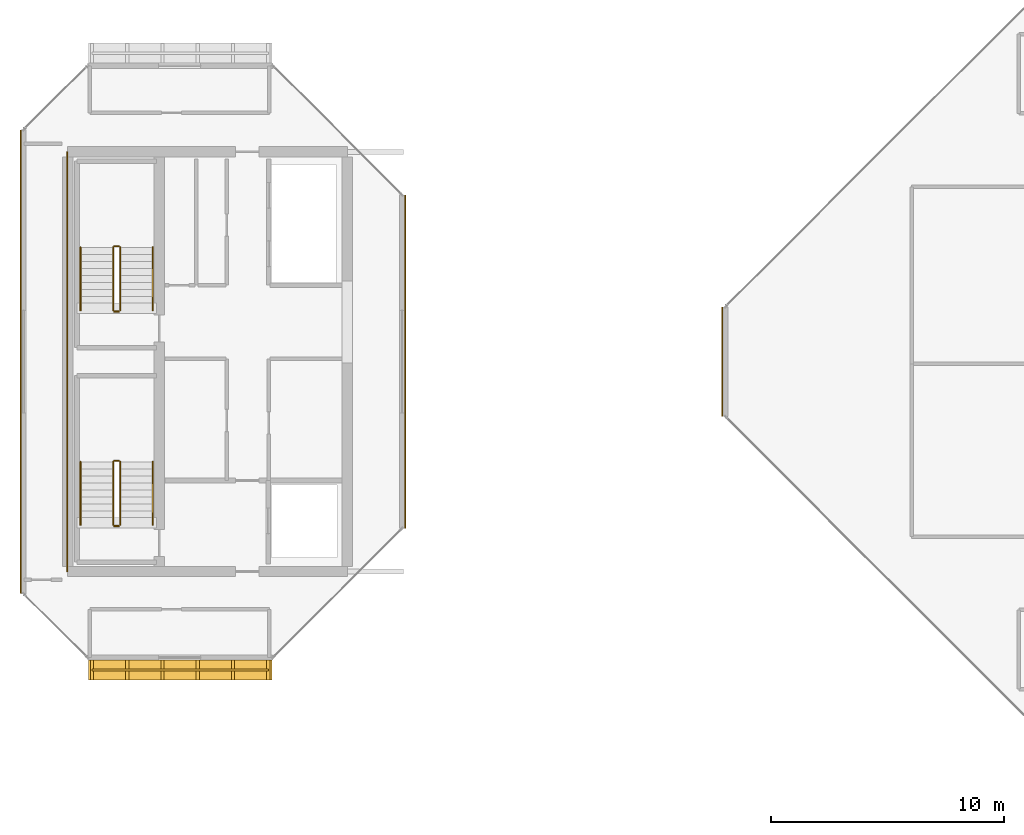
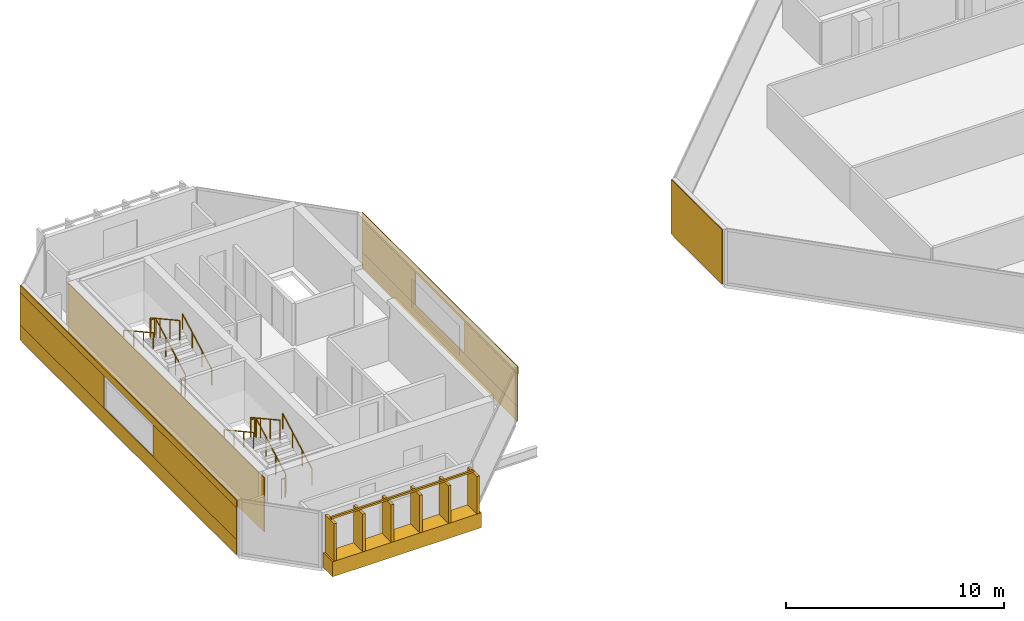
# One storey, part 26 of 28: 13 railings, 11 coverings.
"""IFC4 building model written with IfcOpenShell, lengths in metres."""

from ifc_helpers import new_model, si_unit, direction, frame, origin, origin_2d, place, context, subcontext, project, spatial, rectangle, extrude, material, layer, layer_set, type_object, element, save


model = new_model("IFC4")

# Units and contexts
model_context = context("Model", 3, precision=1e-05, world=origin(), true_north=direction((0.0, 1.0)))
body_context = subcontext(model_context, "Body", "Model", "MODEL_VIEW")
ifc_project = project(units=[si_unit("LENGTHUNIT", "METRE"), si_unit("AREAUNIT", "SQUARE_METRE"), si_unit("VOLUMEUNIT", "CUBIC_METRE"), si_unit("PLANEANGLEUNIT", "RADIAN"), si_unit("MASSUNIT", "GRAM", prefix="KILO")], contexts=[model_context])

# Site, building, storey
site_placement = place(None, origin())
site = spatial("IfcSite", under=ifc_project, at=site_placement, CompositionType="ELEMENT")
building_placement = place(site_placement, origin())
building = spatial("IfcBuilding", under=site, at=building_placement, Name="Tanjung Sevakor Pilgrim Tower", CompositionType="ELEMENT")
storey_placement = place(building_placement, frame((0.0, 0.0, 239.25)))
storey = spatial("IfcBuildingStorey", under=building, at=storey_placement, Name="L67", CompositionType="ELEMENT", Elevation=239.25)

# Coverings
ifc_material_1 = material(Name="Reconstructed Limestone Cladding", Category="masonry")
ifc_layer = layer(ifc_material_1, 0.044921875)
ifc_layer_set = layer_set([ifc_layer], Name="COV-CLAD-LIMESTONE")
covering_type = type_object("IfcCoveringType", Name="COV-CLAD-LIMESTONE", PredefinedType="CLADDING", material=ifc_layer_set)
covering_1_placement = place(storey_placement, frame((28.824951171875, 20.3701171875, 0.009765625), z_axis=(0.0, 0.0, 1.0), x_axis=(1.0, 0.0, 0.0)))
element("IfcCovering", 1, at=covering_1_placement, inside=storey, type_object=covering_type, Name="L67 Warm Limestone Sill Spandrel EW-L67-WEST-1-1", PredefinedType="CLADDING", context=body_context, shape_type="SweptSolid", body=[
    extrude(rectangle(XDim=7.87890625, YDim=0.860107421875, at=origin_2d()), origin(), (0.0, 0.0, 1.0), 0.840087890625),
])
covering_2_placement = place(storey_placement, frame((38.472412109375, 33.60009765625, 0.009765625), z_axis=(0.0, 0.0, 1.0), x_axis=(0.0, 1.0, 0.0)))
element("IfcCovering", 2, at=covering_2_placement, inside=storey, type_object=covering_type, Name="L67 Warm Limestone Sill Spandrel EW-L67-WEST-3-1", PredefinedType="CLADDING", context=body_context, shape_type="SweptSolid", body=[
    extrude(rectangle(XDim=14.228759765625, YDim=0.044921875, at=origin_2d()), origin(), (0.0, 0.0, 1.0), 0.840087890625),
])
covering_3_placement = place(storey_placement, frame((38.472412109375, 33.60009765625, 2.66015625), z_axis=(0.0, 0.0, 1.0), x_axis=(0.0, 1.0, 0.0)))
element("IfcCovering", 3, at=covering_3_placement, inside=storey, type_object=covering_type, Name="L67 Warm Limestone Cornice Spandrel EW-L67-WEST-3", PredefinedType="CLADDING", context=body_context, shape_type="SweptSolid", body=[
    extrude(rectangle(XDim=14.268798828125, YDim=0.044921875, at=origin_2d()), origin(), (0.0, 0.0, 1.0), 0.409912109375),
])
for number, where, z_axis, x_axis, name in (
    (4, (38.472412109375, 28.917724609375, 0.849853515625), (0.0, 0.0, 1.0), (0.0, 1.0, 0.0), "L67 Warm Limestone Pier Panel EW-L67-WEST-3-1"),
    (5, (38.472412109375, 38.2822265625, 0.849853515625), (0.0, 0.0, 1.0), (0.0, 1.0, 0.0), "L67 Warm Limestone Pier Panel EW-L67-WEST-3-2"),
):
    element("IfcCovering", number, at=place(storey_placement, frame(where, z_axis=z_axis, x_axis=x_axis)), inside=storey, type_object=covering_type, Name=name, PredefinedType="CLADDING", context=body_context, shape_type="SweptSolid", body=[
        extrude(rectangle(XDim=4.864501953125, YDim=0.044921875, at=origin_2d()), origin(), (0.0, 0.0, 1.0), 1.81005859375),
    ])
covering_4_placement = place(storey_placement, frame((21.9775390625, 33.60009765625, 0.009765625), z_axis=(0.0, 0.0, 1.0), x_axis=(0.0, -1.0, 0.0)))
element("IfcCovering", 6, at=covering_4_placement, inside=storey, type_object=covering_type, Name="L67 Warm Limestone Sill Spandrel EW-L67-WEST-7-1", PredefinedType="CLADDING", context=body_context, shape_type="SweptSolid", body=[
    extrude(rectangle(XDim=19.828857421875, YDim=0.044921875, at=origin_2d()), origin(), (0.0, 0.0, 1.0), 0.840087890625),
])
covering_5_placement = place(storey_placement, frame((21.9775390625, 33.60009765625, 2.66015625), z_axis=(0.0, 0.0, 1.0), x_axis=(0.0, -1.0, 0.0)))
element("IfcCovering", 7, at=covering_5_placement, inside=storey, type_object=covering_type, Name="L67 Warm Limestone Cornice Spandrel EW-L67-WEST-7", PredefinedType="CLADDING", context=body_context, shape_type="SweptSolid", body=[
    extrude(rectangle(XDim=19.868896484375, YDim=0.044921875, at=origin_2d()), origin(), (0.0, 0.0, 1.0), 0.409912109375),
])
for number, where, z_axis, x_axis, name in (
    (8, (21.9775390625, 39.68212890625, 0.849853515625), (0.0, 0.0, 1.0), (0.0, -1.0, 0.0), "L67 Warm Limestone Pier Panel EW-L67-WEST-7-1"),
    (9, (21.9775390625, 27.517822265625, 0.849853515625), (0.0, 0.0, 1.0), (0.0, -1.0, 0.0), "L67 Warm Limestone Pier Panel EW-L67-WEST-7-2"),
):
    element("IfcCovering", number, at=place(storey_placement, frame(where, z_axis=z_axis, x_axis=x_axis)), inside=storey, type_object=covering_type, Name=name, PredefinedType="CLADDING", context=body_context, shape_type="SweptSolid", body=[
        extrude(rectangle(XDim=7.664306640625, YDim=0.044921875, at=origin_2d()), origin(), (0.0, 0.0, 1.0), 1.81005859375),
    ])
covering_6_placement = place(storey_placement, frame((52.077392578125, 33.60009765625, 0.02001953125), z_axis=(0.0, 0.0, 1.0), x_axis=(0.0, -1.0, 0.0)))
element("IfcCovering", 10, at=covering_6_placement, inside=storey, type_object=covering_type, Name="L67 Warm Limestone Wall Cladding EW-L67-EAST-7", PredefinedType="CLADDING", context=body_context, shape_type="SweptSolid", body=[
    extrude(rectangle(XDim=4.668701171875, YDim=0.044921875, at=origin_2d()), origin(), (0.0, 0.0, 1.0), 3.0400390625),
])
covering_7_placement = place(storey_placement, frame((23.9775390625, 33.60009765625, 0.02001953125), z_axis=(0.0, 0.0, 1.0), x_axis=(1.0, 0.0, 0.0)))
element("IfcCovering", 11, at=covering_7_placement, inside=storey, type_object=covering_type, Name="L67 Expressed Core Warm Limestone Cladding W", PredefinedType="CLADDING", context=body_context, shape_type="SweptSolid", body=[
    extrude(rectangle(XDim=0.044921875, YDim=18.0, at=origin_2d()), origin(), (0.0, 0.0, 1.0), 3.0400390625),
])

# Railings
ifc_material_2 = material(Name="Anodised Bronze Aluminium 6063-T6", Category="aluminium")
railing_type_1 = type_object("IfcRailingType", Name="RL-FIN-SCREEN", PredefinedType="BALUSTRADE", material=ifc_material_2)
railing_1_placement = place(storey_placement, frame((25.045654296875, 20.375, 0.840087890625)))
element("IfcRailing", 12, at=railing_1_placement, inside=storey, type_object=railing_type_1, Name="L67 Vertical Bronze-Gold Solar Fin Screen FNSCR-EW-L67-WEST-1-1", PredefinedType="BALUSTRADE", context=body_context, shape_type="SweptSolid", body=[
    extrude(rectangle(XDim=0.105, YDim=0.105), frame((0.0, 0.0, 2.157470703125), z_axis=(1.0, 0.0, 0.0), x_axis=(0.0, 1.0, 0.0)), (0.0, 0.0, 1.0), 7.558837890625),
    extrude(rectangle(XDim=0.14, YDim=0.85), origin(), (0.0, 0.0, 1.0), 2.10498046875),
    extrude(rectangle(XDim=0.14, YDim=0.85), frame((1.51171875, 0.0, 0.0)), (0.0, 0.0, 1.0), 2.10498046875),
    extrude(rectangle(XDim=0.14, YDim=0.85), frame((3.0234375, 0.0, 0.0)), (0.0, 0.0, 1.0), 2.10498046875),
    extrude(rectangle(XDim=0.14, YDim=0.85), frame((4.535400390625, 0.0, 0.0)), (0.0, 0.0, 1.0), 2.10498046875),
    extrude(rectangle(XDim=0.14, YDim=0.85), frame((6.047119140625, 0.0, 0.0)), (0.0, 0.0, 1.0), 2.10498046875),
    extrude(rectangle(XDim=0.14, YDim=0.85), frame((7.558837890625, 0.0, 0.0)), (0.0, 0.0, 1.0), 2.10498046875),
])
ifc_material_3 = material(Name="Steel S355J2", Category="steel")
railing_type_2 = type_object("IfcRailingType", Name="RL-STAIR-GUARD", PredefinedType="GUARDRAIL", material=ifc_material_3)
railing_2_placement = place(storey_placement, frame((26.25, 26.60009765625, 0.1650390625)))
element("IfcRailing", 13, at=railing_2_placement, inside=storey, type_object=railing_type_2, Name="L67 TS-W1 stair guard 1", PredefinedType="GUARDRAIL", context=body_context, shape_type="SweptSolid", body=[
    extrude(rectangle(XDim=0.0479, YDim=0.0479), frame((0.0, 0.0, 1.076171875), z_axis=(0.0, 0.876230963923, 0.481891375584), x_axis=(-1.0, 0.0, 0.0)), (0.0, 0.0, 1.0), 3.081298828125),
    extrude(rectangle(XDim=0.042, YDim=0.042), origin(), (0.0, 0.0, 1.0), 1.052001953125),
    extrude(rectangle(XDim=0.042, YDim=0.042), frame((0.0, 0.89990234375, 0.494873046875)), (0.0, 0.0, 1.0), 1.052001953125),
    extrude(rectangle(XDim=0.042, YDim=0.042), frame((0.0, 1.800048828125, 0.989990234375)), (0.0, 0.0, 1.0), 1.052001953125),
    extrude(rectangle(XDim=0.042, YDim=0.042), frame((0.0, 2.699951171875, 1.48486328125)), (0.0, 0.0, 1.0), 1.052001953125),
])
railing_3_placement = place(storey_placement, frame((26.199951171875, 29.35009765625, 1.64990234375)))
element("IfcRailing", 14, at=railing_3_placement, inside=storey, type_object=railing_type_2, Name="L67 TS-W1 stair guard 2", PredefinedType="GUARDRAIL", context=body_context, shape_type="SweptSolid", body=[
    extrude(rectangle(XDim=0.0479, YDim=0.0479), frame((0.0, 0.0, 1.076171875), z_axis=(-1.0, 0.0, 0.0), x_axis=(0.0, -1.0, 0.0)), (0.0, 0.0, 1.0), 0.199951171875),
    extrude(rectangle(XDim=0.042, YDim=0.042), origin(), (0.0, 0.0, 1.0), 1.052001953125),
    extrude(rectangle(XDim=0.042, YDim=0.042), frame((-0.199951171875, 0.0, 0.0)), (0.0, 0.0, 1.0), 1.052001953125),
])
railing_4_placement = place(storey_placement, frame((25.949951171875, 29.300048828125, 1.81494140625)))
element("IfcRailing", 15, at=railing_4_placement, inside=storey, type_object=railing_type_2, Name="L67 TS-W1 stair guard 3", PredefinedType="GUARDRAIL", context=body_context, shape_type="SweptSolid", body=[
    extrude(rectangle(XDim=0.0479, YDim=0.0479), frame((0.0, 0.0, 1.076171875), z_axis=(0.0, -0.876197507361, 0.481952205197), x_axis=(1.0, 0.0, 0.0)), (0.0, 0.0, 1.0), 3.08154296875),
    extrude(rectangle(XDim=0.042, YDim=0.042), origin(), (0.0, 0.0, 1.0), 1.052001953125),
    extrude(rectangle(XDim=0.042, YDim=0.042), frame((0.0, -0.89990234375, 0.4951171875)), (0.0, 0.0, 1.0), 1.052001953125),
    extrude(rectangle(XDim=0.042, YDim=0.042), frame((0.0, -1.800048828125, 0.989990234375)), (0.0, 0.0, 1.0), 1.052001953125),
    extrude(rectangle(XDim=0.042, YDim=0.042), frame((0.0, -2.699951171875, 1.485107421875)), (0.0, 0.0, 1.0), 1.052001953125),
])
railing_5_placement = place(storey_placement, frame((26.199951171875, 26.550048828125, 0.0)))
element("IfcRailing", 16, at=railing_5_placement, inside=storey, type_object=railing_type_2, Name="L67 TS-W1 stair guard 4", PredefinedType="GUARDRAIL", context=body_context, shape_type="SweptSolid", body=[
    extrude(rectangle(XDim=0.0479, YDim=0.0479), frame((0.0, 0.0, 1.076171875), z_axis=(-1.0, 0.0, 0.0), x_axis=(0.0, -1.0, 0.0)), (0.0, 0.0, 1.0), 0.199951171875),
    extrude(rectangle(XDim=0.042, YDim=0.042), origin(), (0.0, 0.0, 1.0), 1.052001953125),
    extrude(rectangle(XDim=0.042, YDim=0.042), frame((-0.199951171875, 0.0, 0.0)), (0.0, 0.0, 1.0), 1.052001953125),
])
railing_6_placement = place(storey_placement, frame((26.25, 35.800048828125, 0.1650390625)))
element("IfcRailing", 17, at=railing_6_placement, inside=storey, type_object=railing_type_2, Name="L67 TS-W2 stair guard 1", PredefinedType="GUARDRAIL", context=body_context, shape_type="SweptSolid", body=[
    extrude(rectangle(XDim=0.0479, YDim=0.0479), frame((0.0, 0.0, 1.076171875), z_axis=(0.0, 0.876230963923, 0.481891375584), x_axis=(-1.0, 0.0, 0.0)), (0.0, 0.0, 1.0), 3.081298828125),
    extrude(rectangle(XDim=0.042, YDim=0.042), origin(), (0.0, 0.0, 1.0), 1.052001953125),
    extrude(rectangle(XDim=0.042, YDim=0.042), frame((0.0, 0.89990234375, 0.494873046875)), (0.0, 0.0, 1.0), 1.052001953125),
    extrude(rectangle(XDim=0.042, YDim=0.042), frame((0.0, 1.800048828125, 0.989990234375)), (0.0, 0.0, 1.0), 1.052001953125),
    extrude(rectangle(XDim=0.042, YDim=0.042), frame((0.0, 2.699951171875, 1.48486328125)), (0.0, 0.0, 1.0), 1.052001953125),
])
railing_7_placement = place(storey_placement, frame((26.199951171875, 38.550048828125, 1.64990234375)))
element("IfcRailing", 18, at=railing_7_placement, inside=storey, type_object=railing_type_2, Name="L67 TS-W2 stair guard 2", PredefinedType="GUARDRAIL", context=body_context, shape_type="SweptSolid", body=[
    extrude(rectangle(XDim=0.0479, YDim=0.0479), frame((0.0, 0.0, 1.076171875), z_axis=(-1.0, 0.0, 0.0), x_axis=(0.0, -1.0, 0.0)), (0.0, 0.0, 1.0), 0.199951171875),
    extrude(rectangle(XDim=0.042, YDim=0.042), origin(), (0.0, 0.0, 1.0), 1.052001953125),
    extrude(rectangle(XDim=0.042, YDim=0.042), frame((-0.199951171875, 0.0, 0.0)), (0.0, 0.0, 1.0), 1.052001953125),
])
railing_8_placement = place(storey_placement, frame((25.949951171875, 38.5, 1.81494140625)))
element("IfcRailing", 19, at=railing_8_placement, inside=storey, type_object=railing_type_2, Name="L67 TS-W2 stair guard 3", PredefinedType="GUARDRAIL", context=body_context, shape_type="SweptSolid", body=[
    extrude(rectangle(XDim=0.0479, YDim=0.0479), frame((0.0, 0.0, 1.076171875), z_axis=(0.0, -0.876197507361, 0.481952205197), x_axis=(1.0, 0.0, 0.0)), (0.0, 0.0, 1.0), 3.08154296875),
    extrude(rectangle(XDim=0.042, YDim=0.042), origin(), (0.0, 0.0, 1.0), 1.052001953125),
    extrude(rectangle(XDim=0.042, YDim=0.042), frame((0.0, -0.89990234375, 0.4951171875)), (0.0, 0.0, 1.0), 1.052001953125),
    extrude(rectangle(XDim=0.042, YDim=0.042), frame((0.0, -1.800048828125, 0.989990234375)), (0.0, 0.0, 1.0), 1.052001953125),
    extrude(rectangle(XDim=0.042, YDim=0.042), frame((0.0, -2.699951171875, 1.485107421875)), (0.0, 0.0, 1.0), 1.052001953125),
])
railing_9_placement = place(storey_placement, frame((26.199951171875, 35.75, 0.0)))
element("IfcRailing", 20, at=railing_9_placement, inside=storey, type_object=railing_type_2, Name="L67 TS-W2 stair guard 4", PredefinedType="GUARDRAIL", context=body_context, shape_type="SweptSolid", body=[
    extrude(rectangle(XDim=0.0479, YDim=0.0479), frame((0.0, 0.0, 1.076171875), z_axis=(-1.0, 0.0, 0.0), x_axis=(0.0, -1.0, 0.0)), (0.0, 0.0, 1.0), 0.199951171875),
    extrude(rectangle(XDim=0.042, YDim=0.042), origin(), (0.0, 0.0, 1.0), 1.052001953125),
    extrude(rectangle(XDim=0.042, YDim=0.042), frame((-0.199951171875, 0.0, 0.0)), (0.0, 0.0, 1.0), 1.052001953125),
])
ifc_material_4 = material(Name="Steel S355J2", Category="steel")
railing_type_3 = type_object("IfcRailingType", Name="RL-STAIR-HAND", PredefinedType="HANDRAIL", material=ifc_material_4)
railing_10_placement = place(storey_placement, frame((27.64990234375, 26.60009765625, 0.1650390625)))
element("IfcRailing", 21, at=railing_10_placement, inside=storey, type_object=railing_type_3, Name="L67 TS-W1 stair handrail 1", PredefinedType="HANDRAIL", context=body_context, shape_type="SweptSolid", body=[
    extrude(rectangle(XDim=0.0479, YDim=0.0479), frame((0.0, 0.0, 0.8759765625), z_axis=(0.0, 0.876230963923, 0.481891375584), x_axis=(-1.0, 0.0, 0.0)), (0.0, 0.0, 1.0), 3.081298828125),
    extrude(rectangle(XDim=0.042, YDim=0.042), origin(), (0.0, 0.0, 1.0), 0.851806640625),
    extrude(rectangle(XDim=0.042, YDim=0.042), frame((0.0, 0.89990234375, 0.494873046875)), (0.0, 0.0, 1.0), 0.851806640625),
    extrude(rectangle(XDim=0.042, YDim=0.042), frame((0.0, 1.800048828125, 0.989990234375)), (0.0, 0.0, 1.0), 0.851806640625),
    extrude(rectangle(XDim=0.042, YDim=0.042), frame((0.0, 2.699951171875, 1.48486328125)), (0.0, 0.0, 1.0), 0.851806640625),
])
railing_11_placement = place(storey_placement, frame((24.550048828125, 29.300048828125, 1.81494140625)))
element("IfcRailing", 22, at=railing_11_placement, inside=storey, type_object=railing_type_3, Name="L67 TS-W1 stair handrail 2", PredefinedType="HANDRAIL", context=body_context, shape_type="SweptSolid", body=[
    extrude(rectangle(XDim=0.0479, YDim=0.0479), frame((0.0, 0.0, 0.8759765625), z_axis=(0.0, -0.876197507361, 0.481952205197), x_axis=(1.0, 0.0, 0.0)), (0.0, 0.0, 1.0), 3.08154296875),
    extrude(rectangle(XDim=0.042, YDim=0.042), origin(), (0.0, 0.0, 1.0), 0.851806640625),
    extrude(rectangle(XDim=0.042, YDim=0.042), frame((0.0, -0.89990234375, 0.4951171875)), (0.0, 0.0, 1.0), 0.851806640625),
    extrude(rectangle(XDim=0.042, YDim=0.042), frame((0.0, -1.800048828125, 0.989990234375)), (0.0, 0.0, 1.0), 0.851806640625),
    extrude(rectangle(XDim=0.042, YDim=0.042), frame((0.0, -2.699951171875, 1.485107421875)), (0.0, 0.0, 1.0), 0.851806640625),
])
railing_12_placement = place(storey_placement, frame((27.64990234375, 35.800048828125, 0.1650390625)))
element("IfcRailing", 23, at=railing_12_placement, inside=storey, type_object=railing_type_3, Name="L67 TS-W2 stair handrail 1", PredefinedType="HANDRAIL", context=body_context, shape_type="SweptSolid", body=[
    extrude(rectangle(XDim=0.0479, YDim=0.0479), frame((0.0, 0.0, 0.8759765625), z_axis=(0.0, 0.876230963923, 0.481891375584), x_axis=(-1.0, 0.0, 0.0)), (0.0, 0.0, 1.0), 3.081298828125),
    extrude(rectangle(XDim=0.042, YDim=0.042), origin(), (0.0, 0.0, 1.0), 0.851806640625),
    extrude(rectangle(XDim=0.042, YDim=0.042), frame((0.0, 0.89990234375, 0.494873046875)), (0.0, 0.0, 1.0), 0.851806640625),
    extrude(rectangle(XDim=0.042, YDim=0.042), frame((0.0, 1.800048828125, 0.989990234375)), (0.0, 0.0, 1.0), 0.851806640625),
    extrude(rectangle(XDim=0.042, YDim=0.042), frame((0.0, 2.699951171875, 1.48486328125)), (0.0, 0.0, 1.0), 0.851806640625),
])
railing_13_placement = place(storey_placement, frame((24.550048828125, 38.5, 1.81494140625)))
element("IfcRailing", 24, at=railing_13_placement, inside=storey, type_object=railing_type_3, Name="L67 TS-W2 stair handrail 2", PredefinedType="HANDRAIL", context=body_context, shape_type="SweptSolid", body=[
    extrude(rectangle(XDim=0.0479, YDim=0.0479), frame((0.0, 0.0, 0.8759765625), z_axis=(0.0, -0.876197507361, 0.481952205197), x_axis=(1.0, 0.0, 0.0)), (0.0, 0.0, 1.0), 3.08154296875),
    extrude(rectangle(XDim=0.042, YDim=0.042), origin(), (0.0, 0.0, 1.0), 0.851806640625),
    extrude(rectangle(XDim=0.042, YDim=0.042), frame((0.0, -0.89990234375, 0.4951171875)), (0.0, 0.0, 1.0), 0.851806640625),
    extrude(rectangle(XDim=0.042, YDim=0.042), frame((0.0, -1.800048828125, 0.989990234375)), (0.0, 0.0, 1.0), 0.851806640625),
    extrude(rectangle(XDim=0.042, YDim=0.042), frame((0.0, -2.699951171875, 1.485107421875)), (0.0, 0.0, 1.0), 0.851806640625),
])

save(model, "model.ifc")
